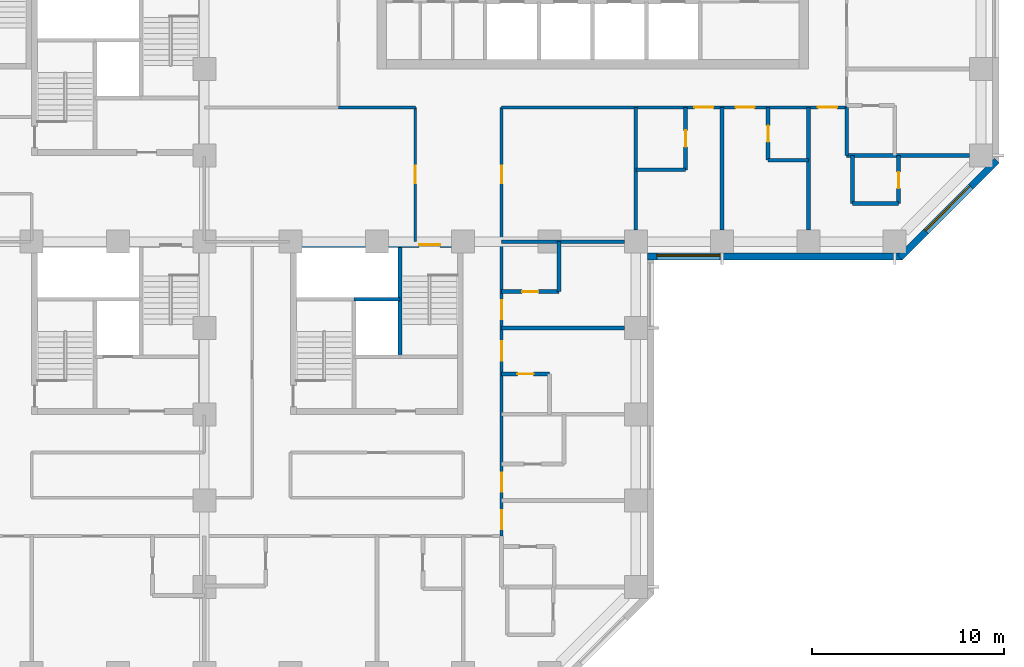
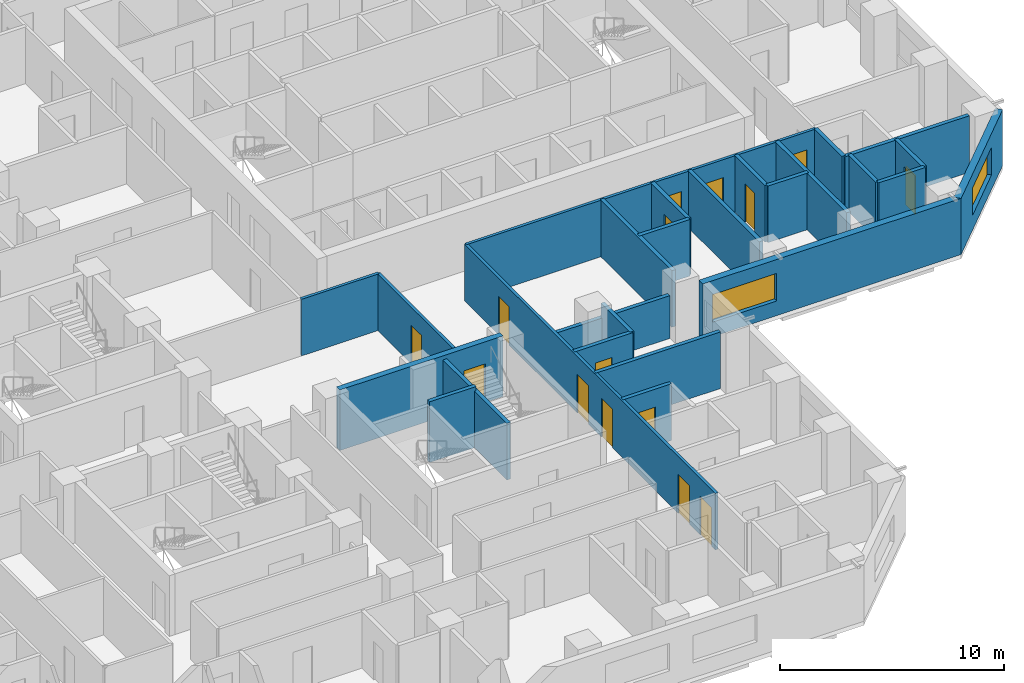
# One storey, part 6 of 13: 26 walls, 15 doors, 2 windows, 17 openings.
"""IFC4 building model written with IfcOpenShell, lengths in metres."""

from ifc_helpers import new_model, si_unit, direction, frame, frame_2d, origin, place, context, subcontext, project, spatial, rectangle, extrude, material, layer, layer_set, constituent, constituent_set, type_object, element, fill, save


model = new_model("IFC4")

# Units and contexts
model_context = context("Model", 3, precision=1e-05, world=origin(), true_north=direction((0.0, 1.0)))
body_context = subcontext(model_context, "Body", "Model", "MODEL_VIEW")
ifc_project = project(units=[si_unit("LENGTHUNIT", "METRE"), si_unit("AREAUNIT", "SQUARE_METRE"), si_unit("VOLUMEUNIT", "CUBIC_METRE"), si_unit("PLANEANGLEUNIT", "RADIAN"), si_unit("MASSUNIT", "GRAM", prefix="KILO")], contexts=[model_context])

# Site, building, storey
site_placement = place(None, origin())
site = spatial("IfcSite", under=ifc_project, at=site_placement, CompositionType="ELEMENT")
building_placement = place(site_placement, origin())
building = spatial("IfcBuilding", under=site, at=building_placement, Name="Quoin Convention Tower", CompositionType="ELEMENT")
storey_placement = place(building_placement, frame((0.0, 0.0, 36.300048828125)))
storey = spatial("IfcBuildingStorey", under=building, at=storey_placement, Name="L08", CompositionType="ELEMENT", Elevation=36.300048828125)

# Wall, opening, window
ifc_material_1 = material(Name="Brick masonry", Category="masonry")
ifc_layer_1 = layer(ifc_material_1, 0.35009765625)
ifc_layer_set_1 = layer_set([ifc_layer_1], Name="Brick masonry")
wall_type_1 = type_object("IfcWallType", Name="Brick facade wall", PredefinedType="STANDARD", material=ifc_layer_set_1)
wall_1_placement = place(storey_placement, frame((59.10009765625, 39.72509765625, 0.0), z_axis=(0.0, 0.0, 1.0), x_axis=(1.0, 0.0, 0.0)))
wall_1 = element("IfcWall", 1, at=wall_1_placement, inside=storey, type_object=wall_type_1, Name="fw-L08-58500_40500", PredefinedType="STANDARD", context=body_context, shape_type="SweptSolid", body=[
    extrude(rectangle(XDim=13.29345703125, YDim=0.35009765625, at=frame_2d((6.646728515625, 0.0))), origin(), (0.0, 0.0, 1.0), 3.054931640625),
])
opening_1_placement = place(wall_1_placement, frame((0.5, 0.0, 0.800048828125)))
opening_1 = element("IfcOpeningElement", 2, at=opening_1_placement, cuts=wall_1, Name="Opening W-01", PredefinedType="OPENING", context=body_context, shape_type="SweptSolid", body=[
    extrude(rectangle(XDim=3.300048828125, YDim=1.5, at=frame_2d((1.64990234375, 0.75))), frame((0.0, 0.18505859375, 0.0), z_axis=(0.0, -1.0, 0.0), x_axis=(1.0, 0.0, 0.0)), (0.0, 0.0, 1.0), 0.3701171875),
])
ifc_material_2 = material(Name="Aluminium", Category="aluminium")
ifc_constituent_1 = constituent(ifc_material_2, Name="Frame")
ifc_material_3 = material(Name="Insulated glass", Category="glass")
ifc_constituent_2 = constituent(ifc_material_3, Name="Glazing")
ifc_constituent_set = constituent_set(constituents=[ifc_constituent_1, ifc_constituent_2], Name="Aluminium")
window_type = type_object("IfcWindowType", Name="Hotel strip window", PartitioningType="DOUBLE_PANEL_VERTICAL", PredefinedType="WINDOW", material=ifc_constituent_set)
window_1_placement = place(opening_1_placement, origin())
window_1 = element("IfcWindow", 3, at=window_1_placement, inside=storey, type_object=window_type, Name="win-L08-60750_39725", OverallHeight=1.5, OverallWidth=3.300048828125, PartitioningType="SINGLE_PANEL", PredefinedType="WINDOW", context=body_context, shape_type="SweptSolid", body=[
    extrude(rectangle(XDim=3.300048828125, YDim=1.5, at=frame_2d((1.64990234375, 0.75))), frame((0.0, 0.0849609375, 0.0), z_axis=(0.0, -1.0, 0.0), x_axis=(1.0, 0.0, 0.0)), (0.0, 0.0, 1.0), 0.06005859375),
])
fill(opening_1, window_1)

wall_2_placement = place(storey_placement, frame((72.269775390625, 39.673583984375, 0.0), z_axis=(0.0, 0.0, 1.0), x_axis=(0.707106781187, 0.707106781187, 0.0)))
wall_2 = element("IfcWall", 4, at=wall_2_placement, inside=storey, type_object=wall_type_1, Name="fw-L08-72000_40500", PredefinedType="STANDARD", context=body_context, shape_type="SweptSolid", body=[
    extrude(rectangle(XDim=7.151123046875, YDim=0.35009765625, at=frame_2d((3.57568359375, 0.0))), origin(), (0.0, 0.0, 1.0), 3.054931640625),
])
opening_2_placement = place(wall_2_placement, frame((1.925537109375, 0.0, 0.800048828125)))
opening_2 = element("IfcOpeningElement", 5, at=opening_2_placement, cuts=wall_2, Name="Opening W-01", PredefinedType="OPENING", context=body_context, shape_type="SweptSolid", body=[
    extrude(rectangle(XDim=3.300048828125, YDim=1.5, at=frame_2d((1.64990234375, 0.75))), frame((0.0, 0.18505859375, 0.0), z_axis=(0.0, -1.0, 0.0), x_axis=(1.0, 0.0, 0.0)), (0.0, 0.0, 1.0), 0.3701171875),
])
window_2_placement = place(opening_2_placement, origin())
window_2 = element("IfcWindow", 6, at=window_2_placement, inside=storey, type_object=window_type, Name="win-L08-74798_42202", OverallHeight=1.5, OverallWidth=3.300048828125, PartitioningType="SINGLE_PANEL", PredefinedType="WINDOW", context=body_context, shape_type="SweptSolid", body=[
    extrude(rectangle(XDim=3.300048828125, YDim=1.5, at=frame_2d((1.64990234375, 0.75))), frame((0.0, 0.0849609375, 0.0), z_axis=(0.0, -1.0, 0.0), x_axis=(1.0, 0.0, 0.0)), (0.0, 0.0, 1.0), 0.06005859375),
])
fill(opening_2, window_2)

# Walls
ifc_material_4 = material(Name="Concrete C50", Category="concrete")
ifc_layer_2 = layer(ifc_material_4, 0.199951171875)
ifc_layer_set_2 = layer_set([ifc_layer_2], Name="Concrete C50")
wall_type_2 = type_object("IfcWallType", Name="Core shaft wall", PredefinedType="SOLIDWALL", material=ifc_layer_set_2)
wall_3_placement = place(storey_placement, frame((46.199951171875, 34.5, 0.0), z_axis=(0.0, 0.0, 1.0), x_axis=(0.0, 1.0, 0.0)))
element("IfcWall", 7, at=wall_3_placement, inside=storey, type_object=wall_type_2, Name="cr-P3-L08-v5700_3000", PredefinedType="SOLIDWALL", context=body_context, shape_type="SweptSolid", body=[
    extrude(rectangle(XDim=5.699951171875, YDim=0.199951171875, at=frame_2d((2.85009765625, 0.0))), origin(), (0.0, 0.0, 1.0), 3.079833984375),
])
ifc_layer_3 = layer(ifc_material_4, 0.199951171875)
ifc_layer_set_3 = layer_set([ifc_layer_3], Name="Concrete C50")
wall_type_3 = type_object("IfcWallType", Name="Core shaft wall to the floor level over", PredefinedType="SOLIDWALL", material=ifc_layer_set_3)
wall_4_placement = place(storey_placement, frame((43.800048828125, 37.5, 0.0), z_axis=(0.0, 0.0, 1.0), x_axis=(1.0, 0.0, 0.0)))
element("IfcWall", 8, at=wall_4_placement, inside=storey, type_object=wall_type_3, Name="cr-P3-L08-h6000_3300", PredefinedType="SOLIDWALL", context=body_context, shape_type="SweptSolid", body=[
    extrude(rectangle(XDim=2.39990234375, YDim=0.199951171875, at=frame_2d((1.199951171875, 0.0))), origin(), (0.0, 0.0, 1.0), 3.300048828125),
])

# Wall, opening, door
ifc_material_5 = material(Name="Concrete C80", Category="concrete")
ifc_layer_4 = layer(ifc_material_5, 0.300048828125)
ifc_layer_set_4 = layer_set([ifc_layer_4], Name="Concrete C80")
wall_type_4 = type_object("IfcWallType", Name="RC CORE WALL 300 C80", PredefinedType="SHEAR", material=ifc_layer_set_4)
wall_5_placement = place(storey_placement, frame((40.800048828125, 40.35009765625, 0.0), z_axis=(0.0, 0.0, 1.0), x_axis=(1.0, 0.0, 0.0)))
wall_5 = element("IfcWall", 9, at=wall_5_placement, inside=storey, type_object=wall_type_4, Name="cwl-P3-L08-N", PredefinedType="SHEAR", context=body_context, shape_type="SweptSolid", body=[
    extrude(rectangle(XDim=8.39990234375, YDim=0.300048828125, at=frame_2d((4.199951171875, 0.0))), origin(), (0.0, 0.0, 1.0), 3.300048828125),
])
opening_3_placement = place(wall_5_placement, frame((6.39990234375, 0.0, 0.0)))
opening_3 = element("IfcOpeningElement", 10, at=opening_3_placement, cuts=wall_5, Name="Opening SD6", PredefinedType="OPENING", context=body_context, shape_type="SweptSolid", body=[
    extrude(rectangle(XDim=1.10009765625, YDim=2.10009765625, at=frame_2d((0.550048828125, 1.050048828125))), frame((0.0, 0.159912109375, 0.0), z_axis=(0.0, -1.0, 0.0), x_axis=(1.0, 0.0, 0.0)), (0.0, 0.0, 1.0), 0.320068359375),
])
ifc_material_6 = material(Name="Steel door leaf", Category="steel")
door_type_1 = type_object("IfcDoorType", Name="Stair door 1100 x 2100", OperationType="SINGLE_SWING_RIGHT", PredefinedType="DOOR", material=ifc_material_6)
door_1_placement = place(opening_3_placement, frame((1.10009765625, 0.0, 0.0), z_axis=(0.0, 0.0, 1.0), x_axis=(-1.0, 0.0, 0.0)))
door_1 = element("IfcDoor", 11, at=door_1_placement, inside=storey, type_object=door_type_1, Name="cd-P3-L08-SB-N", OperationType="SINGLE_SWING_LEFT", OverallHeight=2.10009765625, OverallWidth=1.10009765625, PredefinedType="DOOR", context=body_context, shape_type="SweptSolid", body=[
    extrude(rectangle(XDim=1.10009765625, YDim=2.10009765625, at=frame_2d((0.550048828125, 1.050048828125))), frame((0.0, 0.02490234375, 0.0), z_axis=(0.0, -1.0, 0.0), x_axis=(1.0, 0.0, 0.0)), (0.0, 0.0, 1.0), 0.050048828125),
])
fill(opening_3, door_1)

ifc_layer_5 = layer(ifc_material_4, 0.199951171875)
ifc_layer_set_5 = layer_set([ifc_layer_5], Name="Concrete C50")
wall_type_5 = type_object("IfcWallType", Name="RC party wall", PredefinedType="SOLIDWALL", material=ifc_layer_set_5)
wall_6_placement = place(storey_placement, frame((51.5, 33.60009765625, 0.0), z_axis=(0.0, 0.0, 1.0), x_axis=(1.0, 0.0, 0.0)))
wall_6 = element("IfcWall", 12, at=wall_6_placement, inside=storey, type_object=wall_type_5, Name="pw-L08-076", PredefinedType="SOLIDWALL", context=body_context, shape_type="SweptSolid", body=[
    extrude(rectangle(XDim=2.5, YDim=0.199951171875, at=frame_2d((1.25, 0.0))), origin(), (0.0, 0.0, 1.0), 3.079833984375),
])
opening_4_placement = place(wall_6_placement, frame((0.824951171875, 0.0, 0.0)))
opening_4 = element("IfcOpeningElement", 13, at=opening_4_placement, cuts=wall_6, Name="Opening DHOTEL-D-52", PredefinedType="OPENING", context=body_context, shape_type="SweptSolid", body=[
    extrude(rectangle(XDim=0.85009765625, YDim=2.10009765625, at=frame_2d((0.425048828125, 1.050048828125))), frame((0.0, 0.10986328125, 0.0), z_axis=(0.0, -1.0, 0.0), x_axis=(1.0, 0.0, 0.0)), (0.0, 0.0, 1.0), 0.219970703125),
])
door_type_2 = type_object("IfcDoorType", Name="Bathroom door", OperationType="SINGLE_SWING_LEFT", PredefinedType="DOOR", material=ifc_material_6)
door_2_placement = place(opening_4_placement, frame((0.85009765625, 0.0, 0.0), z_axis=(0.0, 0.0, 1.0), x_axis=(-1.0, 0.0, 0.0)))
door_2 = element("IfcDoor", 14, at=door_2_placement, inside=storey, type_object=door_type_2, Name="dr-L08-028", OperationType="SINGLE_SWING_RIGHT", OverallHeight=2.10009765625, OverallWidth=0.85009765625, PredefinedType="DOOR", context=body_context, shape_type="SweptSolid", body=[
    extrude(rectangle(XDim=0.85009765625, YDim=2.10009765625, at=frame_2d((0.425048828125, 1.050048828125))), frame((0.0, 0.02490234375, 0.0), z_axis=(0.0, -1.0, 0.0), x_axis=(1.0, 0.0, 0.0)), (0.0, 0.0, 1.0), 0.050048828125),
])
fill(opening_4, door_2)

# Wall
wall_7_placement = place(storey_placement, frame((51.5, 36.0, 0.0), z_axis=(0.0, 0.0, 1.0), x_axis=(1.0, 0.0, 0.0)))
element("IfcWall", 15, at=wall_7_placement, inside=storey, type_object=wall_type_5, Name="pw-L08-079", PredefinedType="SOLIDWALL", context=body_context, shape_type="SweptSolid", body=[
    extrude(rectangle(XDim=6.39990234375, YDim=0.199951171875, at=frame_2d((3.199951171875, 0.0))), origin(), (0.0, 0.0, 1.0), 3.079833984375),
])

# Wall, opening, door
wall_8_placement = place(storey_placement, frame((51.5, 37.89990234375, 0.0), z_axis=(0.0, 0.0, 1.0), x_axis=(1.0, 0.0, 0.0)))
wall_8 = element("IfcWall", 16, at=wall_8_placement, inside=storey, type_object=wall_type_5, Name="pw-L08-080", PredefinedType="SOLIDWALL", context=body_context, shape_type="SweptSolid", body=[
    extrude(rectangle(XDim=3.0, YDim=0.199951171875, at=frame_2d((1.5, 0.0))), origin(), (0.0, 0.0, 1.0), 3.079833984375),
])
opening_5_placement = place(wall_8_placement, frame((1.074951171875, 0.0, 0.0)))
opening_5 = element("IfcOpeningElement", 17, at=opening_5_placement, cuts=wall_8, Name="Opening DHOTEL-D-54", PredefinedType="OPENING", context=body_context, shape_type="SweptSolid", body=[
    extrude(rectangle(XDim=0.85009765625, YDim=2.10009765625, at=frame_2d((0.425048828125, 1.050048828125))), frame((0.0, 0.10986328125, 0.0), z_axis=(0.0, -1.0, 0.0), x_axis=(1.0, 0.0, 0.0)), (0.0, 0.0, 1.0), 0.219970703125),
])
door_3_placement = place(opening_5_placement, frame((0.85009765625, 0.0, 0.0), z_axis=(0.0, 0.0, 1.0), x_axis=(-1.0, 0.0, 0.0)))
door_3 = element("IfcDoor", 18, at=door_3_placement, inside=storey, type_object=door_type_2, Name="dr-L08-030", OperationType="SINGLE_SWING_RIGHT", OverallHeight=2.10009765625, OverallWidth=0.85009765625, PredefinedType="DOOR", context=body_context, shape_type="SweptSolid", body=[
    extrude(rectangle(XDim=0.85009765625, YDim=2.10009765625, at=frame_2d((0.425048828125, 1.050048828125))), frame((0.0, 0.02490234375, 0.0), z_axis=(0.0, -1.0, 0.0), x_axis=(1.0, 0.0, 0.0)), (0.0, 0.0, 1.0), 0.050048828125),
])
fill(opening_5, door_3)

# Walls
wall_9_placement = place(storey_placement, frame((54.5, 37.89990234375, 0.0), z_axis=(0.0, 0.0, 1.0), x_axis=(0.0, 1.0, 0.0)))
element("IfcWall", 19, at=wall_9_placement, inside=storey, type_object=wall_type_5, Name="pw-L08-081", PredefinedType="SOLIDWALL", context=body_context, shape_type="SweptSolid", body=[
    extrude(rectangle(XDim=2.60009765625, YDim=0.199951171875, at=frame_2d((1.300048828125, 0.0))), origin(), (0.0, 0.0, 1.0), 3.079833984375),
])
for number, where, z_axis, x_axis, name in (
    (20, (63.0, 41.10009765625, 0.0), (0.0, 0.0, 1.0), (0.0, 1.0, 0.0), "pw-L08-086"),
    (21, (67.5, 41.10009765625, 0.0), (0.0, 0.0, 1.0), (0.0, 1.0, 0.0), "pw-L08-087"),
):
    element("IfcWall", number, at=place(storey_placement, frame(where, z_axis=z_axis, x_axis=x_axis)), inside=storey, type_object=wall_type_5, Name=name, PredefinedType="SOLIDWALL", context=body_context, shape_type="SweptSolid", body=[
        extrude(rectangle(XDim=6.39990234375, YDim=0.199951171875, at=frame_2d((3.199951171875, 0.0))), origin(), (0.0, 0.0, 1.0), 3.079833984375),
    ])
wall_10_placement = place(storey_placement, frame((69.800048828125, 42.5, 0.0), z_axis=(0.0, 0.0, 1.0), x_axis=(1.0, 0.0, 0.0)))
element("IfcWall", 22, at=wall_10_placement, inside=storey, type_object=wall_type_5, Name="pw-L08-088", PredefinedType="SOLIDWALL", context=body_context, shape_type="SweptSolid", body=[
    extrude(rectangle(XDim=2.39990234375, YDim=0.199951171875, at=frame_2d((1.199951171875, 0.0))), origin(), (0.0, 0.0, 1.0), 3.079833984375),
])
wall_11_placement = place(storey_placement, frame((69.800048828125, 42.5, 0.0), z_axis=(0.0, 0.0, 1.0), x_axis=(0.0, 1.0, 0.0)))
element("IfcWall", 23, at=wall_11_placement, inside=storey, type_object=wall_type_5, Name="pw-L08-089", PredefinedType="SOLIDWALL", context=body_context, shape_type="SweptSolid", body=[
    extrude(rectangle(XDim=2.5, YDim=0.199951171875, at=frame_2d((1.25, 0.0))), origin(), (0.0, 0.0, 1.0), 3.079833984375),
])

# Wall, opening, door
wall_12_placement = place(storey_placement, frame((72.199951171875, 42.5, 0.0), z_axis=(0.0, 0.0, 1.0), x_axis=(0.0, 1.0, 0.0)))
wall_12 = element("IfcWall", 24, at=wall_12_placement, inside=storey, type_object=wall_type_5, Name="pw-L08-090", PredefinedType="SOLIDWALL", context=body_context, shape_type="SweptSolid", body=[
    extrude(rectangle(XDim=2.5, YDim=0.199951171875, at=frame_2d((1.25, 0.0))), origin(), (0.0, 0.0, 1.0), 3.079833984375),
])
opening_6_placement = place(wall_12_placement, frame((0.77490234375, 0.0, 0.0)))
opening_6 = element("IfcOpeningElement", 25, at=opening_6_placement, cuts=wall_12, Name="Opening DHOTEL-D-56", PredefinedType="OPENING", context=body_context, shape_type="SweptSolid", body=[
    extrude(rectangle(XDim=0.85009765625, YDim=2.10009765625, at=frame_2d((0.425048828125, 1.050048828125))), frame((0.0, 0.10986328125, 0.0), z_axis=(0.0, -1.0, 0.0), x_axis=(1.0, 0.0, 0.0)), (0.0, 0.0, 1.0), 0.219970703125),
])
door_4_placement = place(opening_6_placement, frame((0.85009765625, 0.0, 0.0), z_axis=(0.0, 0.0, 1.0), x_axis=(-1.0, 0.0, 0.0)))
door_4 = element("IfcDoor", 26, at=door_4_placement, inside=storey, type_object=door_type_2, Name="dr-L08-070", OperationType="SINGLE_SWING_LEFT", OverallHeight=2.10009765625, OverallWidth=0.85009765625, PredefinedType="DOOR", context=body_context, shape_type="SweptSolid", body=[
    extrude(rectangle(XDim=0.85009765625, YDim=2.10009765625, at=frame_2d((0.425048828125, 1.050048828125))), frame((0.0, 0.02490234375, 0.0), z_axis=(0.0, -1.0, 0.0), x_axis=(1.0, 0.0, 0.0)), (0.0, 0.0, 1.0), 0.050048828125),
])
fill(opening_6, door_4)

# Wall
wall_13_placement = place(storey_placement, frame((58.5, 44.25, 0.0), z_axis=(0.0, 0.0, 1.0), x_axis=(1.0, 0.0, 0.0)))
element("IfcWall", 27, at=wall_13_placement, inside=storey, type_object=wall_type_5, Name="pw-L08-092", PredefinedType="SOLIDWALL", context=body_context, shape_type="SweptSolid", body=[
    extrude(rectangle(XDim=2.60009765625, YDim=0.199951171875, at=frame_2d((1.300048828125, 0.0))), origin(), (0.0, 0.0, 1.0), 3.079833984375),
])

# Wall, opening, door
wall_14_placement = place(storey_placement, frame((61.10009765625, 44.25, 0.0), z_axis=(0.0, 0.0, 1.0), x_axis=(0.0, 1.0, 0.0)))
wall_14 = element("IfcWall", 28, at=wall_14_placement, inside=storey, type_object=wall_type_5, Name="pw-L08-093", PredefinedType="SOLIDWALL", context=body_context, shape_type="SweptSolid", body=[
    extrude(rectangle(XDim=3.25, YDim=0.199951171875, at=frame_2d((1.625, 0.0))), origin(), (0.0, 0.0, 1.0), 3.079833984375),
])
opening_7_placement = place(wall_14_placement, frame((1.199951171875, 0.0, 0.0)))
opening_7 = element("IfcOpeningElement", 29, at=opening_7_placement, cuts=wall_14, Name="Opening DHOTEL-D-58", PredefinedType="OPENING", context=body_context, shape_type="SweptSolid", body=[
    extrude(rectangle(XDim=0.85009765625, YDim=2.10009765625, at=frame_2d((0.425048828125, 1.050048828125))), frame((0.0, 0.10986328125, 0.0), z_axis=(0.0, -1.0, 0.0), x_axis=(1.0, 0.0, 0.0)), (0.0, 0.0, 1.0), 0.219970703125),
])
door_5_placement = place(opening_7_placement, frame((0.85009765625, 0.0, 0.0), z_axis=(0.0, 0.0, 1.0), x_axis=(-1.0, 0.0, 0.0)))
door_5 = element("IfcDoor", 30, at=door_5_placement, inside=storey, type_object=door_type_2, Name="dr-L08-058", OperationType="SINGLE_SWING_LEFT", OverallHeight=2.10009765625, OverallWidth=0.85009765625, PredefinedType="DOOR", context=body_context, shape_type="SweptSolid", body=[
    extrude(rectangle(XDim=0.85009765625, YDim=2.10009765625, at=frame_2d((0.425048828125, 1.050048828125))), frame((0.0, 0.02490234375, 0.0), z_axis=(0.0, -1.0, 0.0), x_axis=(1.0, 0.0, 0.0)), (0.0, 0.0, 1.0), 0.050048828125),
])
fill(opening_7, door_5)

# Wall
wall_15_placement = place(storey_placement, frame((65.39990234375, 44.75, 0.0), z_axis=(0.0, 0.0, 1.0), x_axis=(1.0, 0.0, 0.0)))
element("IfcWall", 31, at=wall_15_placement, inside=storey, type_object=wall_type_5, Name="pw-L08-094", PredefinedType="SOLIDWALL", context=body_context, shape_type="SweptSolid", body=[
    extrude(rectangle(XDim=2.10009765625, YDim=0.199951171875, at=frame_2d((1.050048828125, 0.0))), origin(), (0.0, 0.0, 1.0), 3.079833984375),
])

# Wall, opening, door
wall_16_placement = place(storey_placement, frame((65.39990234375, 44.75, 0.0), z_axis=(0.0, 0.0, 1.0), x_axis=(0.0, 1.0, 0.0)))
wall_16 = element("IfcWall", 32, at=wall_16_placement, inside=storey, type_object=wall_type_5, Name="pw-L08-095", PredefinedType="SOLIDWALL", context=body_context, shape_type="SweptSolid", body=[
    extrude(rectangle(XDim=2.75, YDim=0.199951171875, at=frame_2d((1.375, 0.0))), origin(), (0.0, 0.0, 1.0), 3.079833984375),
])
opening_8_placement = place(wall_16_placement, frame((0.949951171875, 0.0, 0.0)))
opening_8 = element("IfcOpeningElement", 33, at=opening_8_placement, cuts=wall_16, Name="Opening DHOTEL-D-59", PredefinedType="OPENING", context=body_context, shape_type="SweptSolid", body=[
    extrude(rectangle(XDim=0.85009765625, YDim=2.10009765625, at=frame_2d((0.425048828125, 1.050048828125))), frame((0.0, 0.10986328125, 0.0), z_axis=(0.0, -1.0, 0.0), x_axis=(1.0, 0.0, 0.0)), (0.0, 0.0, 1.0), 0.219970703125),
])
door_6_placement = place(opening_8_placement, origin())
door_6 = element("IfcDoor", 34, at=door_6_placement, inside=storey, type_object=door_type_2, Name="dr-L08-056", OperationType="SINGLE_SWING_RIGHT", OverallHeight=2.10009765625, OverallWidth=0.85009765625, PredefinedType="DOOR", context=body_context, shape_type="SweptSolid", body=[
    extrude(rectangle(XDim=0.85009765625, YDim=2.10009765625, at=frame_2d((0.425048828125, 1.050048828125))), frame((0.0, 0.02490234375, 0.0), z_axis=(0.0, -1.0, 0.0), x_axis=(1.0, 0.0, 0.0)), (0.0, 0.0, 1.0), 0.050048828125),
])
fill(opening_8, door_6)

# Walls
wall_17_placement = place(storey_placement, frame((69.5, 45.0, 0.0), z_axis=(0.0, 0.0, 1.0), x_axis=(1.0, 0.0, 0.0)))
element("IfcWall", 35, at=wall_17_placement, inside=storey, type_object=wall_type_5, Name="pw-L08-097", PredefinedType="SOLIDWALL", context=body_context, shape_type="SweptSolid", body=[
    extrude(rectangle(XDim=6.39990234375, YDim=0.199951171875, at=frame_2d((3.199951171875, 0.0))), origin(), (0.0, 0.0, 1.0), 3.079833984375),
])
wall_18_placement = place(storey_placement, frame((69.5, 45.0, 0.0), z_axis=(0.0, 0.0, 1.0), x_axis=(0.0, 1.0, 0.0)))
element("IfcWall", 36, at=wall_18_placement, inside=storey, type_object=wall_type_5, Name="pw-L08-098", PredefinedType="SOLIDWALL", context=body_context, shape_type="SweptSolid", body=[
    extrude(rectangle(XDim=2.5, YDim=0.199951171875, at=frame_2d((1.25, 0.0))), origin(), (0.0, 0.0, 1.0), 3.079833984375),
])

# Wall, openings, doors
ifc_material_7 = material(Name="Plasterboard")
ifc_layer_6 = layer(ifc_material_7, 0.012451171875, Name="Finish")
ifc_material_8 = material(Name="Steel stud framing", Category="steel")
ifc_layer_7 = layer(ifc_material_8, 0.125, Name="Structure")
ifc_layer_8 = layer(ifc_material_7, 0.012451171875, Name="Finish")
ifc_layer_set_6 = layer_set([ifc_layer_6, ifc_layer_7, ifc_layer_8], Name="Steel stud framing")
wall_type_6 = type_object("IfcWallType", Name="corridor partition", PredefinedType="PARTITIONING", material=ifc_layer_set_6)
wall_19_placement = place(storey_placement, frame((51.5, 25.14990234375, 0.0), z_axis=(0.0, 0.0, 1.0), x_axis=(0.0, 1.0, 0.0)))
wall_19 = element("IfcWall", 37, at=wall_19_placement, inside=storey, type_object=wall_type_6, Name="pw-L08-007", PredefinedType="PARTITIONING", context=body_context, shape_type="SweptSolid", body=[
    extrude(rectangle(XDim=22.35009765625, YDim=0.14990234375, at=frame_2d((11.175048828125, 0.0))), origin(), (0.0, 0.0, 1.0), 3.079833984375),
])
opening_9_placement = place(wall_19_placement, frame((0.346923828125, 0.0, 0.0)))
opening_9 = element("IfcOpeningElement", 38, at=opening_9_placement, cuts=wall_19, Name="Opening DHOTEL-D-13", PredefinedType="OPENING", context=body_context, shape_type="SweptSolid", body=[
    extrude(rectangle(XDim=1.0, YDim=2.10009765625, at=frame_2d((0.5, 1.050048828125))), frame((0.0, 0.0849609375, 0.0), z_axis=(0.0, -1.0, 0.0), x_axis=(1.0, 0.0, 0.0)), (0.0, 0.0, 1.0), 0.169921875),
])
opening_10_placement = place(wall_19_placement, frame((2.300048828125, 0.0, 0.0)))
opening_10 = element("IfcOpeningElement", 39, at=opening_10_placement, cuts=wall_19, Name="Opening DHOTEL-D-14", PredefinedType="OPENING", context=body_context, shape_type="SweptSolid", body=[
    extrude(rectangle(XDim=1.0, YDim=2.10009765625, at=frame_2d((0.5, 1.050048828125))), frame((0.0, 0.0849609375, 0.0), z_axis=(0.0, -1.0, 0.0), x_axis=(1.0, 0.0, 0.0)), (0.0, 0.0, 1.0), 0.169921875),
])
opening_11_placement = place(wall_19_placement, frame((9.14990234375, 0.0, 0.0)))
opening_11 = element("IfcOpeningElement", 40, at=opening_11_placement, cuts=wall_19, Name="Opening DHOTEL-D-15", PredefinedType="OPENING", context=body_context, shape_type="SweptSolid", body=[
    extrude(rectangle(XDim=1.0, YDim=2.10009765625, at=frame_2d((0.5, 1.050048828125))), frame((0.0, 0.0849609375, 0.0), z_axis=(0.0, -1.0, 0.0), x_axis=(1.0, 0.0, 0.0)), (0.0, 0.0, 1.0), 0.169921875),
])
opening_12_placement = place(wall_19_placement, frame((11.300048828125, 0.0, 0.0)))
opening_12 = element("IfcOpeningElement", 41, at=opening_12_placement, cuts=wall_19, Name="Opening DHOTEL-D-16", PredefinedType="OPENING", context=body_context, shape_type="SweptSolid", body=[
    extrude(rectangle(XDim=1.0, YDim=2.10009765625, at=frame_2d((0.5, 1.050048828125))), frame((0.0, 0.0849609375, 0.0), z_axis=(0.0, -1.0, 0.0), x_axis=(1.0, 0.0, 0.0)), (0.0, 0.0, 1.0), 0.169921875),
])
opening_13_placement = place(wall_19_placement, frame((18.39990234375, 0.0, 0.0)))
opening_13 = element("IfcOpeningElement", 42, at=opening_13_placement, cuts=wall_19, Name="Opening DHOTEL-D-17", PredefinedType="OPENING", context=body_context, shape_type="SweptSolid", body=[
    extrude(rectangle(XDim=0.89990234375, YDim=2.10009765625, at=frame_2d((0.449951171875, 1.050048828125))), frame((0.0, 0.0849609375, 0.0), z_axis=(0.0, -1.0, 0.0), x_axis=(1.0, 0.0, 0.0)), (0.0, 0.0, 1.0), 0.169921875),
])
door_type_3 = type_object("IfcDoorType", Name="Hotel room door", OperationType="SINGLE_SWING_LEFT", PredefinedType="DOOR", material=ifc_material_6)
door_7_placement = place(opening_9_placement, frame((1.0, 0.0, 0.0), z_axis=(0.0, 0.0, 1.0), x_axis=(-1.0, 0.0, 0.0)))
door_7 = element("IfcDoor", 43, at=door_7_placement, inside=storey, type_object=door_type_3, Name="dr-L08-023", OperationType="SINGLE_SWING_RIGHT", OverallHeight=2.10009765625, OverallWidth=1.0, PredefinedType="DOOR", context=body_context, shape_type="SweptSolid", body=[
    extrude(rectangle(XDim=1.0, YDim=2.10009765625, at=frame_2d((0.5, 1.050048828125))), frame((0.0, 0.02490234375, 0.0), z_axis=(0.0, -1.0, 0.0), x_axis=(1.0, 0.0, 0.0)), (0.0, 0.0, 1.0), 0.050048828125),
])
fill(opening_9, door_7)
door_8_placement = place(opening_10_placement, frame((1.0, 0.0, 0.0), z_axis=(0.0, 0.0, 1.0), x_axis=(-1.0, 0.0, 0.0)))
door_8 = element("IfcDoor", 44, at=door_8_placement, inside=storey, type_object=door_type_3, Name="dr-L08-025", OperationType="SINGLE_SWING_LEFT", OverallHeight=2.10009765625, OverallWidth=1.0, PredefinedType="DOOR", context=body_context, shape_type="SweptSolid", body=[
    extrude(rectangle(XDim=1.0, YDim=2.10009765625, at=frame_2d((0.5, 1.050048828125))), frame((0.0, 0.02490234375, 0.0), z_axis=(0.0, -1.0, 0.0), x_axis=(1.0, 0.0, 0.0)), (0.0, 0.0, 1.0), 0.050048828125),
])
fill(opening_10, door_8)
door_9_placement = place(opening_11_placement, frame((1.0, 0.0, 0.0), z_axis=(0.0, 0.0, 1.0), x_axis=(-1.0, 0.0, 0.0)))
door_9 = element("IfcDoor", 45, at=door_9_placement, inside=storey, type_object=door_type_3, Name="dr-L08-027", OperationType="SINGLE_SWING_LEFT", OverallHeight=2.10009765625, OverallWidth=1.0, PredefinedType="DOOR", context=body_context, shape_type="SweptSolid", body=[
    extrude(rectangle(XDim=1.0, YDim=2.10009765625, at=frame_2d((0.5, 1.050048828125))), frame((0.0, 0.02490234375, 0.0), z_axis=(0.0, -1.0, 0.0), x_axis=(1.0, 0.0, 0.0)), (0.0, 0.0, 1.0), 0.050048828125),
])
fill(opening_11, door_9)
door_10_placement = place(opening_12_placement, frame((1.0, 0.0, 0.0), z_axis=(0.0, 0.0, 1.0), x_axis=(-1.0, 0.0, 0.0)))
door_10 = element("IfcDoor", 46, at=door_10_placement, inside=storey, type_object=door_type_3, Name="dr-L08-029", OperationType="SINGLE_SWING_LEFT", OverallHeight=2.10009765625, OverallWidth=1.0, PredefinedType="DOOR", context=body_context, shape_type="SweptSolid", body=[
    extrude(rectangle(XDim=1.0, YDim=2.10009765625, at=frame_2d((0.5, 1.050048828125))), frame((0.0, 0.02490234375, 0.0), z_axis=(0.0, -1.0, 0.0), x_axis=(1.0, 0.0, 0.0)), (0.0, 0.0, 1.0), 0.050048828125),
])
fill(opening_12, door_10)
door_type_4 = type_object("IfcDoorType", Name="Single room door", OperationType="SINGLE_SWING_RIGHT", PredefinedType="DOOR", material=ifc_material_6)
door_11_placement = place(opening_13_placement, frame((0.89990234375, 0.0, 0.0), z_axis=(0.0, 0.0, 1.0), x_axis=(-1.0, 0.0, 0.0)))
door_11 = element("IfcDoor", 47, at=door_11_placement, inside=storey, type_object=door_type_4, Name="dr-L08-080", OperationType="SINGLE_SWING_LEFT", OverallHeight=2.10009765625, OverallWidth=0.89990234375, PredefinedType="DOOR", context=body_context, shape_type="SweptSolid", body=[
    extrude(rectangle(XDim=0.89990234375, YDim=2.10009765625, at=frame_2d((0.449951171875, 1.050048828125))), frame((0.0, 0.02490234375, 0.0), z_axis=(0.0, -1.0, 0.0), x_axis=(1.0, 0.0, 0.0)), (0.0, 0.0, 1.0), 0.050048828125),
])
fill(opening_13, door_11)

# Wall, opening, door
wall_20_placement = place(storey_placement, frame((47.0, 40.5, 0.0), z_axis=(0.0, 0.0, 1.0), x_axis=(0.0, 1.0, 0.0)))
wall_20 = element("IfcWall", 48, at=wall_20_placement, inside=storey, type_object=wall_type_6, Name="pw-L08-024", PredefinedType="PARTITIONING", context=body_context, shape_type="SweptSolid", body=[
    extrude(rectangle(XDim=7.0, YDim=0.14990234375, at=frame_2d((3.5, 0.0))), origin(), (0.0, 0.0, 1.0), 3.079833984375),
])
opening_14_placement = place(wall_20_placement, frame((3.050048828125, 0.0, 0.0)))
opening_14 = element("IfcOpeningElement", 49, at=opening_14_placement, cuts=wall_20, Name="Opening DHOTEL-D-22", PredefinedType="OPENING", context=body_context, shape_type="SweptSolid", body=[
    extrude(rectangle(XDim=0.89990234375, YDim=2.10009765625, at=frame_2d((0.449951171875, 1.050048828125))), frame((0.0, 0.0849609375, 0.0), z_axis=(0.0, -1.0, 0.0), x_axis=(1.0, 0.0, 0.0)), (0.0, 0.0, 1.0), 0.169921875),
])
door_12_placement = place(opening_14_placement, origin())
door_12 = element("IfcDoor", 50, at=door_12_placement, inside=storey, type_object=door_type_4, Name="dr-L08-079", OperationType="SINGLE_SWING_RIGHT", OverallHeight=2.10009765625, OverallWidth=0.89990234375, PredefinedType="DOOR", context=body_context, shape_type="SweptSolid", body=[
    extrude(rectangle(XDim=0.89990234375, YDim=2.10009765625, at=frame_2d((0.449951171875, 1.050048828125))), frame((0.0, 0.02490234375, 0.0), z_axis=(0.0, -1.0, 0.0), x_axis=(1.0, 0.0, 0.0)), (0.0, 0.0, 1.0), 0.050048828125),
])
fill(opening_14, door_12)

# Wall
wall_21_placement = place(storey_placement, frame((43.0, 47.5, 0.0), z_axis=(0.0, 0.0, 1.0), x_axis=(1.0, 0.0, 0.0)))
element("IfcWall", 51, at=wall_21_placement, inside=storey, type_object=wall_type_6, Name="pw-L08-028", PredefinedType="PARTITIONING", context=body_context, shape_type="SweptSolid", body=[
    extrude(rectangle(XDim=4.0, YDim=0.14990234375, at=frame_2d((2.0, 0.0))), origin(), (0.0, 0.0, 1.0), 3.079833984375),
])

# Wall, openings, doors
wall_22_placement = place(storey_placement, frame((51.5, 47.5, 0.0), z_axis=(0.0, 0.0, 1.0), x_axis=(1.0, 0.0, 0.0)))
wall_22 = element("IfcWall", 52, at=wall_22_placement, inside=storey, type_object=wall_type_6, Name="pw-L08-030", PredefinedType="PARTITIONING", context=body_context, shape_type="SweptSolid", body=[
    extrude(rectangle(XDim=18.0, YDim=0.14990234375, at=frame_2d((9.0, 0.0))), origin(), (0.0, 0.0, 1.0), 3.079833984375),
])
opening_15_placement = place(wall_22_placement, frame((12.199951171875, 0.0, 0.0)))
opening_15 = element("IfcOpeningElement", 53, at=opening_15_placement, cuts=wall_22, Name="Opening DHOTEL-D-26", PredefinedType="OPENING", context=body_context, shape_type="SweptSolid", body=[
    extrude(rectangle(XDim=1.0, YDim=2.10009765625, at=frame_2d((0.5, 1.050048828125))), frame((0.0, 0.0849609375, 0.0), z_axis=(0.0, -1.0, 0.0), x_axis=(1.0, 0.0, 0.0)), (0.0, 0.0, 1.0), 0.169921875),
])
opening_16_placement = place(wall_22_placement, frame((10.050048828125, 0.0, 0.0)))
opening_16 = element("IfcOpeningElement", 54, at=opening_16_placement, cuts=wall_22, Name="Opening DHOTEL-D-25", PredefinedType="OPENING", context=body_context, shape_type="SweptSolid", body=[
    extrude(rectangle(XDim=1.0, YDim=2.10009765625, at=frame_2d((0.5, 1.050048828125))), frame((0.0, 0.0849609375, 0.0), z_axis=(0.0, -1.0, 0.0), x_axis=(1.0, 0.0, 0.0)), (0.0, 0.0, 1.0), 0.169921875),
])
opening_17_placement = place(wall_22_placement, frame((16.5, 0.0, 0.0)))
opening_17 = element("IfcOpeningElement", 55, at=opening_17_placement, cuts=wall_22, Name="Opening DHOTEL-D-27", PredefinedType="OPENING", context=body_context, shape_type="SweptSolid", body=[
    extrude(rectangle(XDim=1.0, YDim=2.10009765625, at=frame_2d((0.5, 1.050048828125))), frame((0.0, 0.0849609375, 0.0), z_axis=(0.0, -1.0, 0.0), x_axis=(1.0, 0.0, 0.0)), (0.0, 0.0, 1.0), 0.169921875),
])
door_13_placement = place(opening_15_placement, frame((1.0, 0.0, 0.0), z_axis=(0.0, 0.0, 1.0), x_axis=(-1.0, 0.0, 0.0)))
door_13 = element("IfcDoor", 56, at=door_13_placement, inside=storey, type_object=door_type_3, Name="dr-L08-055", OperationType="SINGLE_SWING_LEFT", OverallHeight=2.10009765625, OverallWidth=1.0, PredefinedType="DOOR", context=body_context, shape_type="SweptSolid", body=[
    extrude(rectangle(XDim=1.0, YDim=2.10009765625, at=frame_2d((0.5, 1.050048828125))), frame((0.0, 0.02490234375, 0.0), z_axis=(0.0, -1.0, 0.0), x_axis=(1.0, 0.0, 0.0)), (0.0, 0.0, 1.0), 0.050048828125),
])
fill(opening_15, door_13)
door_14_placement = place(opening_16_placement, frame((1.0, 0.0, 0.0), z_axis=(0.0, 0.0, 1.0), x_axis=(-1.0, 0.0, 0.0)))
door_14 = element("IfcDoor", 57, at=door_14_placement, inside=storey, type_object=door_type_3, Name="dr-L08-057", OperationType="SINGLE_SWING_LEFT", OverallHeight=2.10009765625, OverallWidth=1.0, PredefinedType="DOOR", context=body_context, shape_type="SweptSolid", body=[
    extrude(rectangle(XDim=1.0, YDim=2.10009765625, at=frame_2d((0.5, 1.050048828125))), frame((0.0, 0.02490234375, 0.0), z_axis=(0.0, -1.0, 0.0), x_axis=(1.0, 0.0, 0.0)), (0.0, 0.0, 1.0), 0.050048828125),
])
fill(opening_16, door_14)
door_15_placement = place(opening_17_placement, frame((1.0, 0.0, 0.0), z_axis=(0.0, 0.0, 1.0), x_axis=(-1.0, 0.0, 0.0)))
door_15 = element("IfcDoor", 58, at=door_15_placement, inside=storey, type_object=door_type_3, Name="dr-L08-069", OperationType="SINGLE_SWING_LEFT", OverallHeight=2.10009765625, OverallWidth=1.0, PredefinedType="DOOR", context=body_context, shape_type="SweptSolid", body=[
    extrude(rectangle(XDim=1.0, YDim=2.10009765625, at=frame_2d((0.5, 1.050048828125))), frame((0.0, 0.02490234375, 0.0), z_axis=(0.0, -1.0, 0.0), x_axis=(1.0, 0.0, 0.0)), (0.0, 0.0, 1.0), 0.050048828125),
])
fill(opening_17, door_15)

# Walls
ifc_layer_9 = layer(ifc_material_7, 0.012451171875, Name="Finish")
ifc_layer_10 = layer(ifc_material_8, 0.175048828125, Name="Structure")
ifc_layer_11 = layer(ifc_material_7, 0.012451171875, Name="Finish")
ifc_layer_set_7 = layer_set([ifc_layer_9, ifc_layer_10, ifc_layer_11], Name="Steel stud framing")
wall_type_7 = type_object("IfcWallType", Name="guest room compartment wall", PredefinedType="PARTITIONING", material=ifc_layer_set_7)
wall_23_placement = place(storey_placement, frame((58.5, 41.10009765625, 0.0), z_axis=(0.0, 0.0, 1.0), x_axis=(0.0, 1.0, 0.0)))
element("IfcWall", 59, at=wall_23_placement, inside=storey, type_object=wall_type_7, Name="pw-L08-002", PredefinedType="PARTITIONING", context=body_context, shape_type="SweptSolid", body=[
    extrude(rectangle(XDim=6.39990234375, YDim=0.199951171875, at=frame_2d((3.199951171875, 0.0))), origin(), (0.0, 0.0, 1.0), 3.079833984375),
])
ifc_layer_12 = layer(ifc_material_7, 0.012451171875, Name="Finish")
ifc_layer_13 = layer(ifc_material_8, 0.175048828125, Name="Structure")
ifc_layer_14 = layer(ifc_material_7, 0.012451171875, Name="Finish")
ifc_layer_set_8 = layer_set([ifc_layer_12, ifc_layer_13, ifc_layer_14], Name="Steel stud framing")
wall_type_8 = type_object("IfcWallType", Name="guest room compartment wall under beam 750", PredefinedType="PARTITIONING", material=ifc_layer_set_8)
wall_24_placement = place(storey_placement, frame((51.5, 40.5, 0.0), z_axis=(0.0, 0.0, 1.0), x_axis=(1.0, 0.0, 0.0)))
element("IfcWall", 60, at=wall_24_placement, inside=storey, type_object=wall_type_8, Name="pw-L08-001", PredefinedType="PARTITIONING", context=body_context, shape_type="SweptSolid", body=[
    extrude(rectangle(XDim=6.39990234375, YDim=0.199951171875, at=frame_2d((3.199951171875, 0.0))), origin(), (0.0, 0.0, 1.0), 2.329833984375),
])

save(model, "model.ifc")
